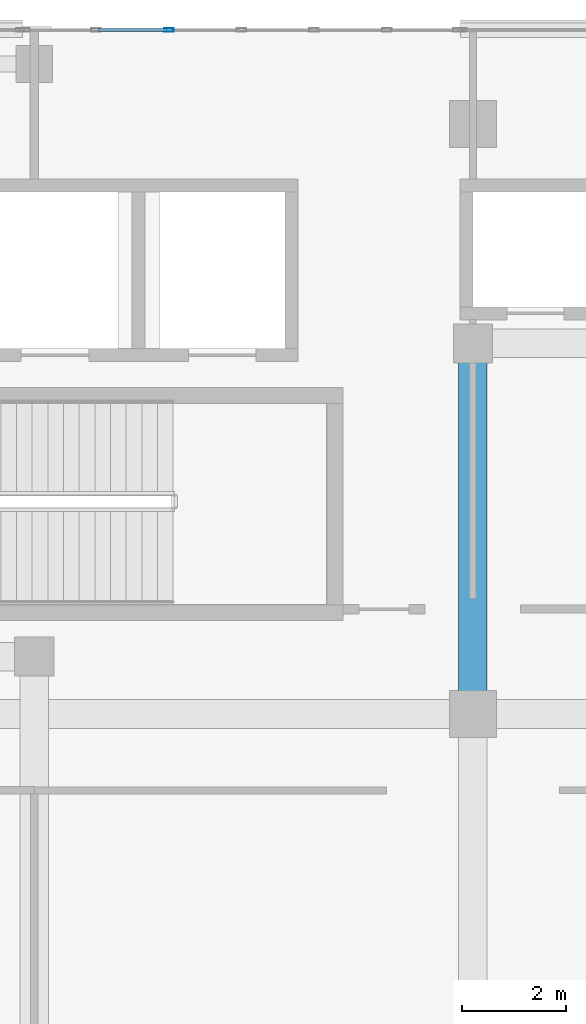
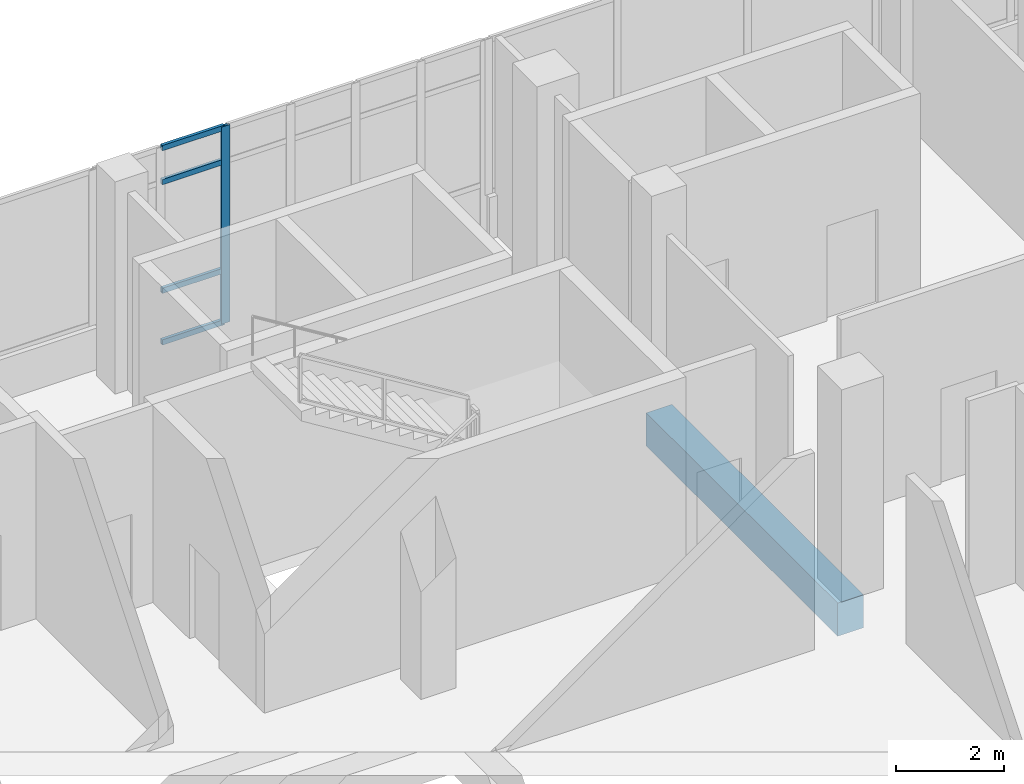
# One storey, part 86 of 155: 5 members, 1 beam, 1 element without a shape of its own.
"""IFC4 building model written with IfcOpenShell, lengths in metres."""

from ifc_helpers import new_model, si_unit, direction, frame, origin, origin_2d, place, context, subcontext, project, spatial, rectangle, hollow_rectangle, extrude, material, material_profile, profile_set, type_object, element, aggregate, save


model = new_model("IFC4")

# Units and contexts
model_context = context("Model", 3, precision=1e-05, world=origin(), true_north=direction((0.0, 1.0)))
body_context = subcontext(model_context, "Body", "Model", "MODEL_VIEW")
ifc_project = project(units=[si_unit("LENGTHUNIT", "METRE"), si_unit("AREAUNIT", "SQUARE_METRE"), si_unit("VOLUMEUNIT", "CUBIC_METRE"), si_unit("PLANEANGLEUNIT", "RADIAN"), si_unit("MASSUNIT", "GRAM", prefix="KILO")], contexts=[model_context])

# Site, building, storey
site_placement = place(None, origin())
site = spatial("IfcSite", under=ifc_project, at=site_placement, CompositionType="ELEMENT")
building_placement = place(site_placement, origin())
building = spatial("IfcBuilding", under=site, at=building_placement, Name="Selatvlak General Hospital", CompositionType="ELEMENT")
storey_placement = place(building_placement, frame((0.0, 0.0, 10.199951171875)))
storey = spatial("IfcBuildingStorey", under=building, at=storey_placement, Name="L02", CompositionType="ELEMENT", Elevation=10.199951171875)

# Beam
ifc_material_1 = material(Name="Concrete C40/50", Category="concrete")
ifc_material_profile_1 = material_profile(ifc_material_1, rectangle(XDim=0.550048828125, YDim=0.75, at=origin_2d()), Name="RC-BM 550x750")
ifc_profile_set_1 = profile_set([ifc_material_profile_1], Name="Concrete C40/50")
beam_type = type_object("IfcBeamType", Name="BM-G02", PredefinedType="BEAM", material=ifc_profile_set_1)
beam_placement = place(storey_placement, frame((115.199951171875, 106.89990234375, -0.72998046875), z_axis=(0.0, 1.0, 0.0), x_axis=(-1.0, 0.0, 0.0)))
element("IfcBeam", 1, at=beam_placement, inside=storey, type_object=beam_type, Name="Beam BMR-L02-1010", PredefinedType="BEAM", context=body_context, shape_type="SweptSolid", body=[
    extrude(rectangle(XDim=0.550048828125, YDim=0.75, at=origin_2d()), origin(), (0.0, 0.0, 1.0), 7.10009765625),
])

# Curtain wall, members
ifc_material_2 = material(Name="Solar-control Low-E double glazing", Category="glass")
curtain_wall_type = type_object("IfcCurtainWallType", Name="CW-CW-04", PredefinedType="USERDEFINED", material=ifc_material_2)
curtain_wall_placement = place(storey_placement, origin())
curtain_wall = element("IfcCurtainWall", 2, at=curtain_wall_placement, inside=storey, type_object=curtain_wall_type, Name="Glazed facade curtain wall CW-L02-0254", ObjectType="STICK GLAZING WALL", PredefinedType="USERDEFINED")
ifc_material_3 = material(Name="Dark anodised aluminium mullion", Category="aluminium")
ifc_material_profile_2 = material_profile(ifc_material_3, hollow_rectangle(XDim=0.06494140625, YDim=0.179931640625, WallThickness=0.00439453125, at=origin_2d()), Name="AL-MUL 65x180x4.5")
ifc_profile_set_2 = profile_set([ifc_material_profile_2], Name="Dark anodised aluminium mullion")
member_type_1 = type_object("IfcMemberType", Name="CWM-02", PredefinedType="MULLION", material=ifc_profile_set_2)
member_1_placement = place(storey_placement, frame((109.37744140625, 120.0, 0.0), z_axis=(0.0, 0.0, 1.0), x_axis=(0.0, 1.0, 0.0)))
member_1 = element("IfcMember", 3, at=member_1_placement, type_object=member_type_1, Name="CW-04 mullion 3", PredefinedType="MULLION", context=body_context, shape_type="SweptSolid", body=[
    extrude(hollow_rectangle(XDim=0.06494140625, YDim=0.179931640625, WallThickness=0.00439453125, at=origin_2d()), origin(), (0.0, 0.0, 1.0), 4.4599609375),
])
ifc_material_profile_3 = material_profile(ifc_material_3, hollow_rectangle(XDim=0.06494140625, YDim=0.1201171875, WallThickness=0.00390625, at=origin_2d()), Name="AL-TRN 65x120x4")
ifc_profile_set_3 = profile_set([ifc_material_profile_3], Name="Dark anodised aluminium mullion")
member_type_2 = type_object("IfcMemberType", Name="CWT-01", PredefinedType="USERDEFINED", material=ifc_profile_set_3)
member_2_placement = place(storey_placement, frame((108.01806640625, 120.0, 0.032470703125), z_axis=(1.0, 0.0, 0.0), x_axis=(0.0, 1.0, 0.0)))
member_2 = element("IfcMember", 4, at=member_2_placement, type_object=member_type_2, Name="CW-04 transom 2.1", ObjectType="TRANSOM", PredefinedType="USERDEFINED", context=body_context, shape_type="SweptSolid", body=[
    extrude(hollow_rectangle(XDim=0.06494140625, YDim=0.1201171875, WallThickness=0.00390625, at=origin_2d()), origin(), (0.0, 0.0, 1.0), 1.32666015625),
])
member_3_placement = place(storey_placement, frame((108.01806640625, 120.0, 1.199951171875), z_axis=(1.0, 0.0, 0.0), x_axis=(0.0, 1.0, 0.0)))
member_3 = element("IfcMember", 5, at=member_3_placement, type_object=member_type_2, Name="CW-04 transom 2.2", ObjectType="TRANSOM", PredefinedType="USERDEFINED", context=body_context, shape_type="SweptSolid", body=[
    extrude(hollow_rectangle(XDim=0.06494140625, YDim=0.1201171875, WallThickness=0.00390625, at=origin_2d()), origin(), (0.0, 0.0, 1.0), 1.32666015625),
])
member_4_placement = place(storey_placement, frame((108.01806640625, 120.0, 3.66015625), z_axis=(1.0, 0.0, 0.0), x_axis=(0.0, 1.0, 0.0)))
member_4 = element("IfcMember", 6, at=member_4_placement, type_object=member_type_2, Name="CW-04 transom 2.3", ObjectType="TRANSOM", PredefinedType="USERDEFINED", context=body_context, shape_type="SweptSolid", body=[
    extrude(hollow_rectangle(XDim=0.06494140625, YDim=0.1201171875, WallThickness=0.00390625, at=origin_2d()), origin(), (0.0, 0.0, 1.0), 1.32666015625),
])
member_5_placement = place(storey_placement, frame((108.01806640625, 120.0, 4.427490234375), z_axis=(1.0, 0.0, 0.0), x_axis=(0.0, 1.0, 0.0)))
member_5 = element("IfcMember", 7, at=member_5_placement, type_object=member_type_2, Name="CW-04 transom 2.4", ObjectType="TRANSOM", PredefinedType="USERDEFINED", context=body_context, shape_type="SweptSolid", body=[
    extrude(hollow_rectangle(XDim=0.06494140625, YDim=0.1201171875, WallThickness=0.00390625, at=origin_2d()), origin(), (0.0, 0.0, 1.0), 1.32666015625),
])
aggregate(curtain_wall, [member_1, member_2, member_3, member_4, member_5])

save(model, "model.ifc")
